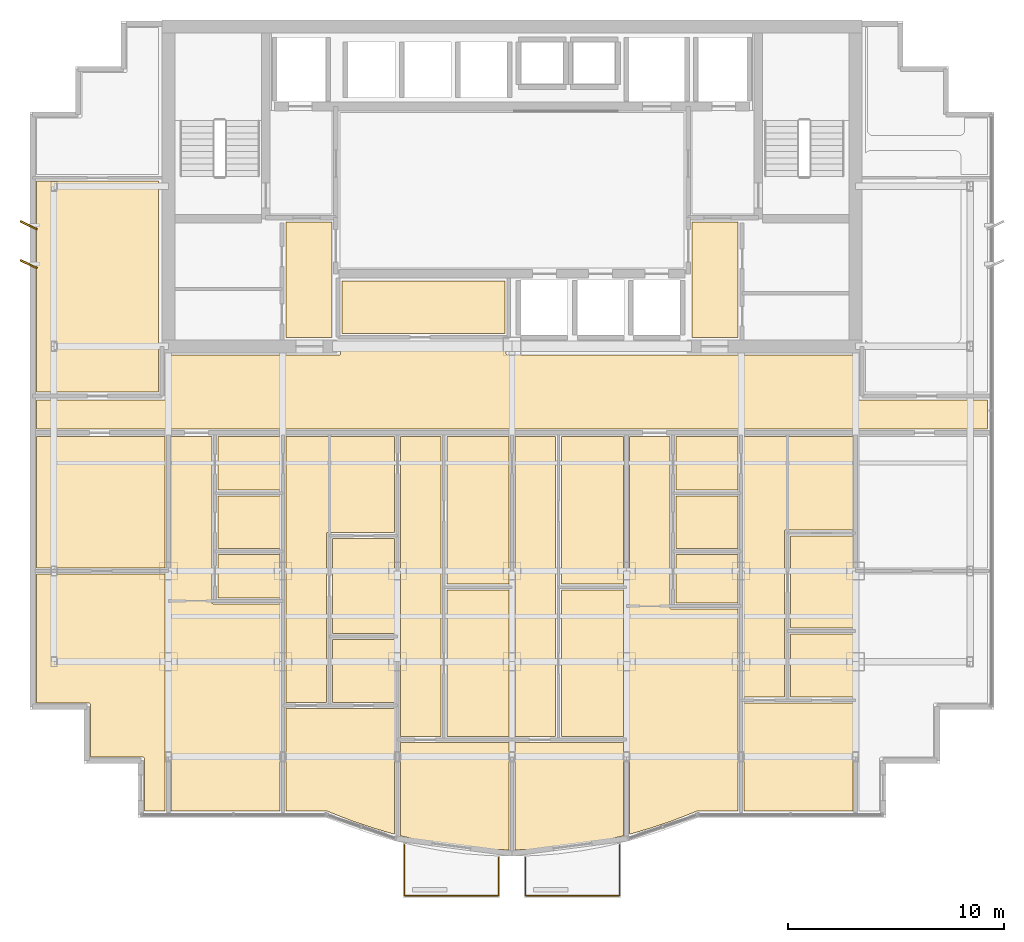
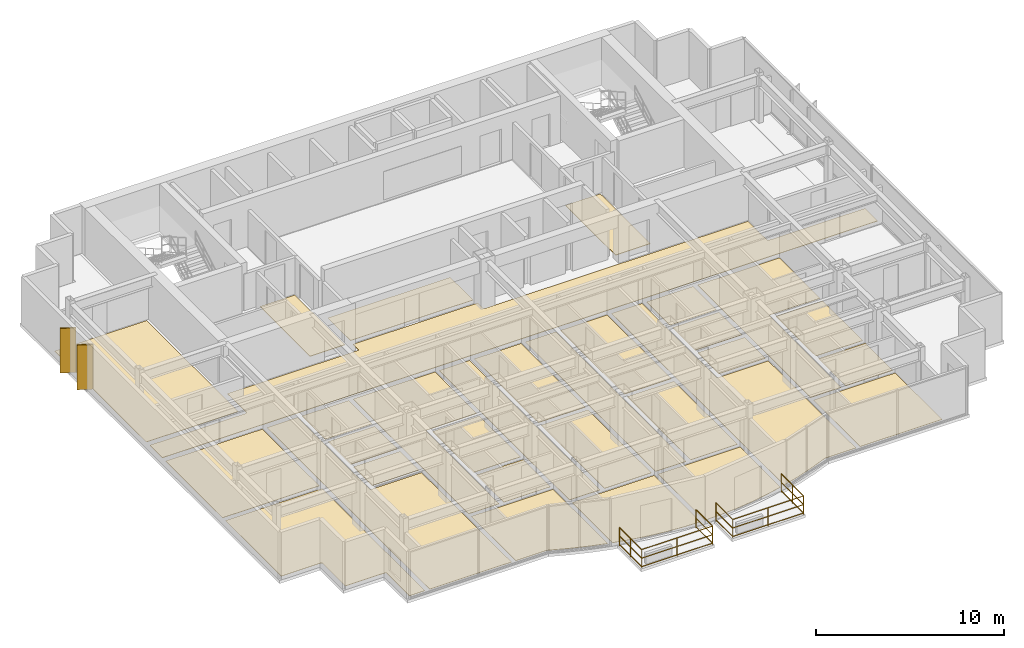
# One storey, part 12 of 13: 31 coverings, 2 railings, 2 shading devices.
"""IFC4 building model written with IfcOpenShell, lengths in metres."""

from ifc_helpers import new_model, si_unit, direction, frame, origin, origin_2d, place, context, subcontext, project, spatial, polyline, rectangle, circle, outline, extrude, source, transform, mapped, material, layer, layer_set, type_object, element, save


model = new_model("IFC4")

# Units and contexts
model_context = context("Model", 3, precision=1e-05, world=origin(), true_north=direction((0.0, 1.0)))
body_context = subcontext(model_context, "Body", "Model", "MODEL_VIEW")
ifc_project = project(units=[si_unit("LENGTHUNIT", "METRE"), si_unit("AREAUNIT", "SQUARE_METRE"), si_unit("VOLUMEUNIT", "CUBIC_METRE"), si_unit("PLANEANGLEUNIT", "RADIAN"), si_unit("MASSUNIT", "GRAM", prefix="KILO")], contexts=[model_context])

# Site, building, storey
site_placement = place(None, origin())
site = spatial("IfcSite", under=ifc_project, at=site_placement, CompositionType="ELEMENT")
building_placement = place(site_placement, origin())
building = spatial("IfcBuilding", under=site, at=building_placement, Name="Qianlan Lanfeng Residences", CompositionType="ELEMENT")
storey_placement = place(building_placement, frame((0.0, 0.0, 178.800048828125)))
storey = spatial("IfcBuildingStorey", under=building, at=storey_placement, Name="L49", CompositionType="ELEMENT", Elevation=178.800048828125)

# Coverings
ifc_material_1 = material(Name="Honed Taitung Granite Stone Flooring", Category="masonry")
ifc_layer_1 = layer(ifc_material_1, 0.030029296875)
ifc_layer_set_1 = layer_set([ifc_layer_1], Name="Honed Taitung Granite Stone Flooring")
covering_type_1 = type_object("IfcCoveringType", Name="FLR-STN-30", PredefinedType="FLOORING", material=ifc_layer_set_1)
covering_1_placement = place(storey_placement, origin())
element("IfcCovering", 1, at=covering_1_placement, inside=storey, type_object=covering_type_1, Name="L49 Residential Corridor Floor Finish", PredefinedType="FLOORING", context=body_context, shape_type="SweptSolid", body=[
    extrude(outline(polyline([(4.489990234375, 21.3798828125), (48.510009765625, 21.3798828125), (48.510009765625, 22.719970703125), (42.590087890625, 22.719970703125), (42.5830078125, 22.719970703125), (42.575927734375, 22.720947265625), (42.570068359375, 22.722900390625), (42.56298828125, 22.72509765625), (42.556884765625, 22.72802734375), (42.551025390625, 22.73193359375), (42.5458984375, 22.736083984375), (42.541015625, 22.740966796875), (42.535888671875, 22.74609375), (42.531982421875, 22.7509765625), (42.528076171875, 22.757080078125), (42.52490234375, 22.762939453125), (42.52294921875, 22.77001953125), (42.52099609375, 22.77587890625), (42.52001953125, 22.782958984375), (42.52001953125, 22.7900390625), (42.52001953125, 24.800048828125), (26.300048828125, 24.800048828125), (26.29296875, 24.800048828125), (26.285888671875, 24.801025390625), (26.280029296875, 24.802978515625), (26.27294921875, 24.804931640625), (26.26708984375, 24.80810546875), (26.260986328125, 24.81201171875), (26.256103515625, 24.81591796875), (26.2509765625, 24.821044921875), (26.24609375, 24.825927734375), (26.241943359375, 24.8310546875), (26.238037109375, 24.8369140625), (26.235107421875, 24.843017578125), (26.23291015625, 24.85009765625), (26.23095703125, 24.85595703125), (26.22998046875, 24.863037109375), (26.22998046875, 24.8701171875), (26.22998046875, 25.429931640625), (18.570068359375, 25.429931640625), (18.570068359375, 24.8701171875), (18.570068359375, 24.863037109375), (18.569091796875, 24.85595703125), (18.56689453125, 24.85009765625), (18.56494140625, 24.843017578125), (18.56201171875, 24.8369140625), (18.55810546875, 24.8310546875), (18.553955078125, 24.825927734375), (18.549072265625, 24.821044921875), (18.5439453125, 24.81591796875), (18.5390625, 24.81201171875), (18.532958984375, 24.80810546875), (18.527099609375, 24.804931640625), (18.52001953125, 24.802978515625), (18.513916015625, 24.801025390625), (18.507080078125, 24.800048828125), (18.5, 24.800048828125), (10.47998046875, 24.800048828125), (10.47998046875, 22.7900390625), (10.47998046875, 22.782958984375), (10.47900390625, 22.77587890625), (10.47705078125, 22.77001953125), (10.47509765625, 22.762939453125), (10.471923828125, 22.757080078125), (10.468017578125, 22.7509765625), (10.464111328125, 22.74609375), (10.458984375, 22.740966796875), (10.4541015625, 22.736083984375), (10.448974609375, 22.73193359375), (10.443115234375, 22.72802734375), (10.43701171875, 22.72509765625), (10.429931640625, 22.722900390625), (10.424072265625, 22.720947265625), (10.4169921875, 22.719970703125), (10.409912109375, 22.719970703125), (4.489990234375, 22.719970703125), (4.489990234375, 21.3798828125)])), origin(), (0.0, 0.0, 1.0), 0.030029296875),
])
covering_2_placement = place(storey_placement, origin())
element("IfcCovering", 2, at=covering_2_placement, inside=storey, type_object=covering_type_1, Name="L49 Lift Lobby Floor Finish", PredefinedType="FLOORING", context=body_context, shape_type="SweptSolid", body=[
    extrude(outline(polyline([(16.030029296875, 25.610107421875), (18.169921875, 25.610107421875), (18.169921875, 30.949951171875), (16.030029296875, 30.949951171875), (16.030029296875, 25.610107421875)])), origin(), (0.0, 0.0, 1.0), 0.030029296875),
])
covering_3_placement = place(storey_placement, origin())
element("IfcCovering", 3, at=covering_3_placement, inside=storey, type_object=covering_type_1, Name="L49 Lift Lobby Floor Finish", PredefinedType="FLOORING", context=body_context, shape_type="SweptSolid", body=[
    extrude(outline(polyline([(34.830078125, 25.610107421875), (36.969970703125, 25.610107421875), (36.969970703125, 30.949951171875), (34.830078125, 30.949951171875), (34.830078125, 25.610107421875)])), origin(), (0.0, 0.0, 1.0), 0.030029296875),
])
ifc_material_2 = material(Name="Slip-Resistant Porcelain Tile Flooring")
ifc_layer_2 = layer(ifc_material_2, 0.02001953125)
ifc_layer_set_2 = layer_set([ifc_layer_2], Name="Slip-Resistant Porcelain Tile Flooring")
covering_type_2 = type_object("IfcCoveringType", Name="FLR-TIL-20", PredefinedType="FLOORING", material=ifc_layer_set_2)
covering_4_placement = place(storey_placement, origin())
element("IfcCovering", 4, at=covering_4_placement, inside=storey, type_object=covering_type_2, Name="L49 Kitchen Floor Finish", PredefinedType="FLOORING", context=body_context, shape_type="SweptSolid", body=[
    extrude(outline(polyline([(12.889892578125, 15.840087890625), (15.760009765625, 15.840087890625), (15.760009765625, 18.260009765625), (12.889892578125, 18.260009765625), (12.889892578125, 15.840087890625)])), origin(), (0.0, 0.0, 1.0), 0.02001953125),
])
covering_5_placement = place(storey_placement, origin())
element("IfcCovering", 5, at=covering_5_placement, inside=storey, type_object=covering_type_2, Name="L49 Bathroom Floor Finish", PredefinedType="FLOORING", context=body_context, shape_type="SweptSolid", body=[
    extrude(outline(polyline([(12.889892578125, 18.5400390625), (15.760009765625, 18.5400390625), (15.760009765625, 21.030029296875), (12.889892578125, 21.030029296875), (12.889892578125, 18.5400390625)])), origin(), (0.0, 0.0, 1.0), 0.02001953125),
])
covering_6_placement = place(storey_placement, origin())
element("IfcCovering", 6, at=covering_6_placement, inside=storey, type_object=covering_type_2, Name="L49 En-Suite Bathroom Floor Finish", PredefinedType="FLOORING", context=body_context, shape_type="SweptSolid", body=[
    extrude(outline(polyline([(18.18994140625, 8.714111328125), (21.070068359375, 8.714111328125), (21.070068359375, 11.634033203125), (18.18994140625, 11.634033203125), (18.18994140625, 8.714111328125)])), origin(), (0.0, 0.0, 1.0), 0.02001953125),
])
covering_7_placement = place(storey_placement, origin())
element("IfcCovering", 7, at=covering_7_placement, inside=storey, type_object=covering_type_2, Name="L49 Kitchen Floor Finish", PredefinedType="FLOORING", context=body_context, shape_type="SweptSolid", body=[
    extrude(outline(polyline([(34.090087890625, 15.840087890625), (36.9599609375, 15.840087890625), (36.9599609375, 18.260009765625), (34.090087890625, 18.260009765625), (34.090087890625, 15.840087890625)])), origin(), (0.0, 0.0, 1.0), 0.02001953125),
])
covering_8_placement = place(storey_placement, origin())
element("IfcCovering", 8, at=covering_8_placement, inside=storey, type_object=covering_type_2, Name="L49 Bathroom Floor Finish", PredefinedType="FLOORING", context=body_context, shape_type="SweptSolid", body=[
    extrude(outline(polyline([(34.090087890625, 18.5400390625), (36.9599609375, 18.5400390625), (36.9599609375, 21.030029296875), (34.090087890625, 21.030029296875), (34.090087890625, 18.5400390625)])), origin(), (0.0, 0.0, 1.0), 0.02001953125),
])
covering_9_placement = place(storey_placement, origin())
element("IfcCovering", 9, at=covering_9_placement, inside=storey, type_object=covering_type_2, Name="L49 En-Suite Bathroom Floor Finish", PredefinedType="FLOORING", context=body_context, shape_type="SweptSolid", body=[
    extrude(outline(polyline([(39.389892578125, 8.9599609375), (42.27001953125, 8.9599609375), (42.27001953125, 11.8798828125), (39.389892578125, 11.8798828125), (39.389892578125, 8.9599609375)])), origin(), (0.0, 0.0, 1.0), 0.02001953125),
])
ifc_material_3 = material(Name="Engineered Smoked Oak Timber Flooring", Category="wood")
ifc_layer_3 = layer(ifc_material_3, 0.02197265625)
ifc_layer_set_3 = layer_set([ifc_layer_3], Name="Engineered Smoked Oak Timber Flooring")
covering_type_3 = type_object("IfcCoveringType", Name="FLR-TIM-22", PredefinedType="FLOORING", material=ifc_layer_set_3)
covering_10_placement = place(storey_placement, origin())
element("IfcCovering", 10, at=covering_10_placement, inside=storey, type_object=covering_type_3, Name="L49 Resident Study Salon Floor Finish", PredefinedType="FLOORING", context=body_context, shape_type="SweptSolid", body=[
    extrude(outline(polyline([(18.6298828125, 25.800048828125), (26.169921875, 25.800048828125), (26.169921875, 28.22998046875), (18.6298828125, 28.22998046875), (18.6298828125, 25.800048828125)])), origin(), (0.0, 0.0, 1.0), 0.02197265625),
])
covering_11_placement = place(storey_placement, origin())
element("IfcCovering", 11, at=covering_11_placement, inside=storey, type_object=covering_type_3, Name="L49 Living and Dining Room Floor Finish", PredefinedType="FLOORING", context=body_context, shape_type="SweptSolid", body=[
    extrude(outline(polyline([(15.77001953125, 3.68994140625), (15.77001953125, 13.280029296875), (12.679931640625, 13.280029296875), (12.673095703125, 13.280029296875), (12.666015625, 13.281005859375), (12.659912109375, 13.282958984375), (12.653076171875, 13.284912109375), (12.64697265625, 13.2880859375), (12.64111328125, 13.2919921875), (12.635986328125, 13.2958984375), (12.631103515625, 13.301025390625), (12.6259765625, 13.305908203125), (12.6220703125, 13.31103515625), (12.617919921875, 13.31689453125), (12.614990234375, 13.322998046875), (12.613037109375, 13.330078125), (12.611083984375, 13.3359375), (12.610107421875, 13.343017578125), (12.610107421875, 13.35009765625), (12.610107421875, 21.030029296875), (10.72998046875, 21.030029296875), (10.72998046875, 3.68994140625), (15.77001953125, 3.68994140625)])), origin(), (0.0, 0.0, 1.0), 0.02197265625),
])
covering_12_placement = place(storey_placement, origin())
element("IfcCovering", 12, at=covering_12_placement, inside=storey, type_object=covering_type_3, Name="L49 Private Study Floor Finish", PredefinedType="FLOORING", context=body_context, shape_type="SweptSolid", body=[
    extrude(outline(polyline([(12.889892578125, 15.56005859375), (12.889892578125, 13.56005859375), (15.77001953125, 13.56005859375), (15.77001953125, 15.56005859375), (12.889892578125, 15.56005859375)])), origin(), (0.0, 0.0, 1.0), 0.02197265625),
])
covering_13_placement = place(storey_placement, origin())
element("IfcCovering", 13, at=covering_13_placement, inside=storey, type_object=covering_type_3, Name="L49 Private Study Floor Finish", PredefinedType="FLOORING", context=body_context, shape_type="SweptSolid", body=[
    extrude(outline(polyline([(18.18994140625, 11.9140625), (21.070068359375, 11.9140625), (21.070068359375, 16.297119140625), (18.18994140625, 16.297119140625), (18.18994140625, 11.9140625)])), origin(), (0.0, 0.0, 1.0), 0.02197265625),
])
covering_14_placement = place(storey_placement, origin())
element("IfcCovering", 14, at=covering_14_placement, inside=storey, type_object=covering_type_3, Name="L49 Villa Family Sitting Room Floor Finish", PredefinedType="FLOORING", context=body_context, shape_type="SweptSolid", body=[
    extrude(outline(polyline([(16.030029296875, 8.714111328125), (17.909912109375, 8.714111328125), (17.909912109375, 16.507080078125), (17.909912109375, 16.513916015625), (17.910888671875, 16.52099609375), (17.9130859375, 16.527099609375), (17.9150390625, 16.533935546875), (17.91796875, 16.5400390625), (17.922119140625, 16.5458984375), (17.926025390625, 16.551025390625), (17.930908203125, 16.555908203125), (17.93603515625, 16.56103515625), (17.94091796875, 16.56494140625), (17.947021484375, 16.569091796875), (17.952880859375, 16.572021484375), (17.9599609375, 16.573974609375), (17.966064453125, 16.575927734375), (17.972900390625, 16.576904296875), (17.97998046875, 16.576904296875), (21.070068359375, 16.576904296875), (21.070068359375, 21.030029296875), (16.030029296875, 21.030029296875), (16.030029296875, 8.714111328125)])), origin(), (0.0, 0.0, 1.0), 0.02197265625),
])
covering_15_placement = place(storey_placement, origin())
element("IfcCovering", 15, at=covering_15_placement, inside=storey, type_object=covering_type_3, Name="L49 Master Bedroom Floor Finish", PredefinedType="FLOORING", context=body_context, shape_type="SweptSolid", body=[
    extrude(outline(polyline([(16.030029296875, 8.43408203125), (16.030029296875, 3.68994140625), (17.922119140625, 3.68994140625), (17.927978515625, 3.68994140625), (17.93505859375, 3.68896484375), (17.94091796875, 3.68701171875), (17.947021484375, 3.68505859375), (19.056884765625, 3.25), (20.1220703125, 2.888916015625), (21.070068359375, 2.616943359375), (21.070068359375, 8.43408203125), (16.030029296875, 8.43408203125)])), origin(), (0.0, 0.0, 1.0), 0.02197265625),
])
covering_16_placement = place(storey_placement, origin())
element("IfcCovering", 16, at=covering_16_placement, inside=storey, type_object=covering_type_3, Name="L49 Bedroom Floor Finish", PredefinedType="FLOORING", context=body_context, shape_type="SweptSolid", body=[
    extrude(outline(polyline([(21.330078125, 6.85888671875), (21.330078125, 2.550048828125), (22.2490234375, 2.333984375), (23.31201171875, 2.139892578125), (24.375, 2.001953125), (25.43701171875, 1.91796875), (26.3701171875, 1.89306640625), (26.3701171875, 6.85888671875), (21.330078125, 6.85888671875)])), origin(), (0.0, 0.0, 1.0), 0.02197265625),
])
covering_17_placement = place(storey_placement, origin())
element("IfcCovering", 17, at=covering_17_placement, inside=storey, type_object=covering_type_3, Name="L49 Private Study Floor Finish", PredefinedType="FLOORING", context=body_context, shape_type="SweptSolid", body=[
    extrude(outline(polyline([(23.489990234375, 7.138916015625), (26.3701171875, 7.138916015625), (26.3701171875, 13.909912109375), (23.489990234375, 13.909912109375), (23.489990234375, 7.138916015625)])), origin(), (0.0, 0.0, 1.0), 0.02197265625),
])
covering_18_placement = place(storey_placement, origin())
element("IfcCovering", 18, at=covering_18_placement, inside=storey, type_object=covering_type_3, Name="L49 Fitness Gymnasium Floor Finish", PredefinedType="FLOORING", context=body_context, shape_type="SweptSolid", body=[
    extrude(outline(polyline([(23.489990234375, 14.18994140625), (26.3701171875, 14.18994140625), (26.3701171875, 21.030029296875), (23.489990234375, 21.030029296875), (23.489990234375, 14.18994140625)])), origin(), (0.0, 0.0, 1.0), 0.02197265625),
])
covering_19_placement = place(storey_placement, origin())
element("IfcCovering", 19, at=covering_19_placement, inside=storey, type_object=covering_type_3, Name="L49 Home Office Floor Finish", PredefinedType="FLOORING", context=body_context, shape_type="SweptSolid", body=[
    extrude(outline(polyline([(21.330078125, 7.138916015625), (23.2099609375, 7.138916015625), (23.2099609375, 21.030029296875), (21.330078125, 21.030029296875), (21.330078125, 7.138916015625)])), origin(), (0.0, 0.0, 1.0), 0.02197265625),
])
covering_20_placement = place(storey_placement, origin())
element("IfcCovering", 20, at=covering_20_placement, inside=storey, type_object=covering_type_3, Name="L49 Guest Bedroom Floor Finish", PredefinedType="FLOORING", context=body_context, shape_type="SweptSolid", body=[
    extrude(outline(polyline([(26.6298828125, 6.85888671875), (26.6298828125, 1.89306640625), (27.56298828125, 1.91796875), (28.625, 2.0009765625), (29.68701171875, 2.139892578125), (30.7509765625, 2.333984375), (31.669921875, 2.550048828125), (31.669921875, 6.85888671875), (26.6298828125, 6.85888671875)])), origin(), (0.0, 0.0, 1.0), 0.02197265625),
])
covering_21_placement = place(storey_placement, origin())
element("IfcCovering", 21, at=covering_21_placement, inside=storey, type_object=covering_type_3, Name="L49 Private Study Floor Finish", PredefinedType="FLOORING", context=body_context, shape_type="SweptSolid", body=[
    extrude(outline(polyline([(28.7900390625, 7.138916015625), (31.669921875, 7.138916015625), (31.669921875, 13.909912109375), (28.7900390625, 13.909912109375), (28.7900390625, 7.138916015625)])), origin(), (0.0, 0.0, 1.0), 0.02197265625),
])
covering_22_placement = place(storey_placement, origin())
element("IfcCovering", 22, at=covering_22_placement, inside=storey, type_object=covering_type_3, Name="L49 Fitness Gymnasium Floor Finish", PredefinedType="FLOORING", context=body_context, shape_type="SweptSolid", body=[
    extrude(outline(polyline([(28.7900390625, 14.18994140625), (31.669921875, 14.18994140625), (31.669921875, 21.030029296875), (28.7900390625, 21.030029296875), (28.7900390625, 14.18994140625)])), origin(), (0.0, 0.0, 1.0), 0.02197265625),
])
covering_23_placement = place(storey_placement, origin())
element("IfcCovering", 23, at=covering_23_placement, inside=storey, type_object=covering_type_3, Name="L49 Home Office Floor Finish", PredefinedType="FLOORING", context=body_context, shape_type="SweptSolid", body=[
    extrude(outline(polyline([(26.6298828125, 7.138916015625), (28.510009765625, 7.138916015625), (28.510009765625, 21.030029296875), (26.6298828125, 21.030029296875), (26.6298828125, 7.138916015625)])), origin(), (0.0, 0.0, 1.0), 0.02197265625),
])
covering_24_placement = place(storey_placement, origin())
element("IfcCovering", 24, at=covering_24_placement, inside=storey, type_object=covering_type_3, Name="L49 Living and Dining Room Floor Finish", PredefinedType="FLOORING", context=body_context, shape_type="SweptSolid", body=[
    extrude(outline(polyline([(36.969970703125, 3.68994140625), (36.969970703125, 13.033935546875), (33.8798828125, 13.033935546875), (33.873046875, 13.033935546875), (33.865966796875, 13.034912109375), (33.860107421875, 13.037109375), (33.85302734375, 13.0390625), (33.846923828125, 13.0419921875), (33.841064453125, 13.0458984375), (33.8359375, 13.050048828125), (33.8310546875, 13.054931640625), (33.825927734375, 13.06005859375), (33.822021484375, 13.06494140625), (33.818115234375, 13.071044921875), (33.81494140625, 13.076904296875), (33.81298828125, 13.083984375), (33.81103515625, 13.090087890625), (33.81005859375, 13.096923828125), (33.81005859375, 13.10400390625), (33.81005859375, 21.030029296875), (31.929931640625, 21.030029296875), (31.929931640625, 2.616943359375), (32.8779296875, 2.888916015625), (33.94189453125, 3.25), (35.052978515625, 3.68505859375), (35.05908203125, 3.68701171875), (35.06494140625, 3.68896484375), (35.072021484375, 3.68994140625), (35.077880859375, 3.68994140625), (36.969970703125, 3.68994140625)])), origin(), (0.0, 0.0, 1.0), 0.02197265625),
])
covering_25_placement = place(storey_placement, origin())
element("IfcCovering", 25, at=covering_25_placement, inside=storey, type_object=covering_type_3, Name="L49 Private Study Floor Finish", PredefinedType="FLOORING", context=body_context, shape_type="SweptSolid", body=[
    extrude(outline(polyline([(34.090087890625, 15.56005859375), (34.090087890625, 13.31396484375), (36.969970703125, 13.31396484375), (36.969970703125, 15.56005859375), (34.090087890625, 15.56005859375)])), origin(), (0.0, 0.0, 1.0), 0.02197265625),
])
covering_26_placement = place(storey_placement, origin())
element("IfcCovering", 26, at=covering_26_placement, inside=storey, type_object=covering_type_3, Name="L49 Private Study Floor Finish", PredefinedType="FLOORING", context=body_context, shape_type="SweptSolid", body=[
    extrude(outline(polyline([(39.389892578125, 12.159912109375), (42.27001953125, 12.159912109375), (42.27001953125, 16.419921875), (39.389892578125, 16.419921875), (39.389892578125, 12.159912109375)])), origin(), (0.0, 0.0, 1.0), 0.02197265625),
])
covering_27_placement = place(storey_placement, origin())
element("IfcCovering", 27, at=covering_27_placement, inside=storey, type_object=covering_type_3, Name="L49 Villa Family Sitting Room Floor Finish", PredefinedType="FLOORING", context=body_context, shape_type="SweptSolid", body=[
    extrude(outline(polyline([(37.22998046875, 8.9599609375), (39.110107421875, 8.9599609375), (39.110107421875, 16.6298828125), (39.110107421875, 16.636962890625), (39.111083984375, 16.64404296875), (39.113037109375, 16.64990234375), (39.114990234375, 16.656982421875), (39.117919921875, 16.6630859375), (39.1220703125, 16.6689453125), (39.1259765625, 16.674072265625), (39.131103515625, 16.678955078125), (39.135986328125, 16.68408203125), (39.14111328125, 16.68798828125), (39.14697265625, 16.69189453125), (39.153076171875, 16.695068359375), (39.159912109375, 16.697021484375), (39.166015625, 16.698974609375), (39.173095703125, 16.699951171875), (39.179931640625, 16.699951171875), (42.27001953125, 16.699951171875), (42.27001953125, 21.030029296875), (37.22998046875, 21.030029296875), (37.22998046875, 8.9599609375)])), origin(), (0.0, 0.0, 1.0), 0.02197265625),
])
covering_28_placement = place(storey_placement, origin())
element("IfcCovering", 28, at=covering_28_placement, inside=storey, type_object=covering_type_3, Name="L49 Master Bedroom Floor Finish", PredefinedType="FLOORING", context=body_context, shape_type="SweptSolid", body=[
    extrude(outline(polyline([(37.22998046875, 8.679931640625), (37.22998046875, 3.68994140625), (42.27001953125, 3.68994140625), (42.27001953125, 8.679931640625), (37.22998046875, 8.679931640625)])), origin(), (0.0, 0.0, 1.0), 0.02197265625),
])
covering_29_placement = place(storey_placement, origin())
element("IfcCovering", 29, at=covering_29_placement, inside=storey, type_object=covering_type_3, Name="L49 Sunroom Floor Finish", PredefinedType="FLOORING", context=body_context, shape_type="SweptSolid", body=[
    extrude(outline(polyline([(10.43994140625, 14.64990234375), (4.489990234375, 14.64990234375), (4.489990234375, 8.68994140625), (6.919921875, 8.68994140625), (6.927001953125, 8.68994140625), (6.93408203125, 8.68896484375), (6.93994140625, 8.68701171875), (6.947021484375, 8.68505859375), (6.952880859375, 8.681884765625), (6.958984375, 8.677978515625), (6.964111328125, 8.674072265625), (6.968994140625, 8.6689453125), (6.97412109375, 8.6640625), (6.97802734375, 8.658935546875), (6.98193359375, 8.653076171875), (6.985107421875, 8.64697265625), (6.987060546875, 8.639892578125), (6.989013671875, 8.634033203125), (6.989990234375, 8.626953125), (6.989990234375, 8.6201171875), (6.989990234375, 6.18994140625), (9.419921875, 6.18994140625), (9.427001953125, 6.18994140625), (9.43408203125, 6.18896484375), (9.43994140625, 6.18701171875), (9.447021484375, 6.18505859375), (9.452880859375, 6.181884765625), (9.458984375, 6.177978515625), (9.464111328125, 6.174072265625), (9.468994140625, 6.1689453125), (9.47412109375, 6.1640625), (9.47802734375, 6.158935546875), (9.48193359375, 6.153076171875), (9.485107421875, 6.14697265625), (9.487060546875, 6.139892578125), (9.489013671875, 6.134033203125), (9.489990234375, 6.126953125), (9.489990234375, 6.1201171875), (9.489990234375, 3.68994140625), (10.43994140625, 3.68994140625), (10.43994140625, 14.64990234375)])), origin(), (0.0, 0.0, 1.0), 0.02197265625),
])
covering_30_placement = place(storey_placement, origin())
element("IfcCovering", 30, at=covering_30_placement, inside=storey, type_object=covering_type_3, Name="L49 Family Sitting Room Floor Finish", PredefinedType="FLOORING", context=body_context, shape_type="SweptSolid", body=[
    extrude(outline(polyline([(10.43994140625, 21.030029296875), (4.489990234375, 21.030029296875), (4.489990234375, 14.949951171875), (10.43994140625, 14.949951171875), (10.43994140625, 21.030029296875)])), origin(), (0.0, 0.0, 1.0), 0.02197265625),
])
covering_31_placement = place(storey_placement, origin())
element("IfcCovering", 31, at=covering_31_placement, inside=storey, type_object=covering_type_3, Name="L49 Conservatory Salon Floor Finish", PredefinedType="FLOORING", context=body_context, shape_type="SweptSolid", body=[
    extrude(outline(polyline([(10.14990234375, 32.85009765625), (4.489990234375, 32.85009765625), (4.489990234375, 23.080078125), (10.14990234375, 23.080078125), (10.14990234375, 32.85009765625)])), origin(), (0.0, 0.0, 1.0), 0.02197265625),
])

# Railings
ifc_material_4 = material(Name="Anodised Bronze Aluminium and Laminated Glass Guard Balustrade", Category="aluminium")
railing_type = type_object("IfcRailingType", Name="GR-EXT-1220", PredefinedType="BALUSTRADE", material=ifc_material_4)
railing_1_placement = place(storey_placement, frame((25.8798828125, 1.5458984375, 0.0)))
element("IfcRailing", 32, at=railing_1_placement, inside=storey, type_object=railing_type, Name="L49 Terrace Safety Guard GR-L49-SB-W", PredefinedType="BALUSTRADE", context=body_context, shape_type="SweptSolid", body=[
    extrude(circle(Radius=0.02490234375, at=origin_2d()), frame((0.0, 0.0, 0.0849609375), z_axis=(0.0, -1.0, 0.0), x_axis=(1.0, 0.0, 0.0)), (0.0, 0.0, 1.0), 1.77587890625),
    extrude(circle(Radius=0.02490234375, at=origin_2d()), frame((0.0, 0.0, 0.63427734375), z_axis=(0.0, -1.0, 0.0), x_axis=(1.0, 0.0, 0.0)), (0.0, 0.0, 1.0), 1.77587890625),
    extrude(circle(Radius=0.02490234375, at=origin_2d()), frame((0.0, 0.0, 1.19482421875), z_axis=(0.0, -1.0, 0.0), x_axis=(1.0, 0.0, 0.0)), (0.0, 0.0, 1.0), 1.77587890625),
    extrude(circle(Radius=0.02490234375, at=origin_2d()), frame((0.0, -1.77587890625, 0.0849609375), z_axis=(-1.0, 0.0, 0.0), x_axis=(0.0, -1.0, 0.0)), (0.0, 0.0, 1.0), 4.35986328125),
    extrude(circle(Radius=0.02490234375, at=origin_2d()), frame((0.0, -1.77587890625, 0.63427734375), z_axis=(-1.0, 0.0, 0.0), x_axis=(0.0, -1.0, 0.0)), (0.0, 0.0, 1.0), 4.35986328125),
    extrude(circle(Radius=0.02490234375, at=origin_2d()), frame((0.0, -1.77587890625, 1.19482421875), z_axis=(-1.0, 0.0, 0.0), x_axis=(0.0, -1.0, 0.0)), (0.0, 0.0, 1.0), 4.35986328125),
    extrude(circle(Radius=0.02490234375, at=origin_2d()), frame((-4.35986328125, -1.77587890625, 0.0849609375), z_axis=(0.0, 1.0, 0.0), x_axis=(-1.0, 0.0, 0.0)), (0.0, 0.0, 1.0), 2.365966796875),
    extrude(circle(Radius=0.02490234375, at=origin_2d()), frame((-4.35986328125, -1.77587890625, 0.63427734375), z_axis=(0.0, 1.0, 0.0), x_axis=(-1.0, 0.0, 0.0)), (0.0, 0.0, 1.0), 2.365966796875),
    extrude(circle(Radius=0.02490234375, at=origin_2d()), frame((-4.35986328125, -1.77587890625, 1.19482421875), z_axis=(0.0, 1.0, 0.0), x_axis=(-1.0, 0.0, 0.0)), (0.0, 0.0, 1.0), 2.365966796875),
    extrude(circle(Radius=0.02099609375, at=origin_2d()), origin(), (0.0, 0.0, 1.0), 1.169921875),
    extrude(circle(Radius=0.02099609375, at=origin_2d()), frame((0.0, -1.77587890625, 0.0)), (0.0, 0.0, 1.0), 1.169921875),
    extrude(circle(Radius=0.02099609375, at=origin_2d()), frame((-2.179931640625, -1.77587890625, 0.0)), (0.0, 0.0, 1.0), 1.169921875),
    extrude(circle(Radius=0.02099609375, at=origin_2d()), frame((-4.35986328125, -1.77587890625, 0.0)), (0.0, 0.0, 1.0), 1.169921875),
    extrude(circle(Radius=0.02099609375, at=origin_2d()), frame((-4.35986328125, -0.5927734375, 0.0)), (0.0, 0.0, 1.0), 1.169921875),
    extrude(circle(Radius=0.02099609375, at=origin_2d()), frame((-4.35986328125, 0.590087890625, 0.0)), (0.0, 0.0, 1.0), 1.169921875),
])
railing_2_placement = place(storey_placement, frame((31.47998046875, 2.135986328125, 0.0)))
element("IfcRailing", 33, at=railing_2_placement, inside=storey, type_object=railing_type, Name="L49 Terrace Safety Guard GR-L49-SB-E", PredefinedType="BALUSTRADE", context=body_context, shape_type="SweptSolid", body=[
    extrude(circle(Radius=0.02490234375, at=origin_2d()), frame((0.0, 0.0, 0.0849609375), z_axis=(0.0, -1.0, 0.0), x_axis=(1.0, 0.0, 0.0)), (0.0, 0.0, 1.0), 2.365966796875),
    extrude(circle(Radius=0.02490234375, at=origin_2d()), frame((0.0, 0.0, 0.63427734375), z_axis=(0.0, -1.0, 0.0), x_axis=(1.0, 0.0, 0.0)), (0.0, 0.0, 1.0), 2.365966796875),
    extrude(circle(Radius=0.02490234375, at=origin_2d()), frame((0.0, 0.0, 1.19482421875), z_axis=(0.0, -1.0, 0.0), x_axis=(1.0, 0.0, 0.0)), (0.0, 0.0, 1.0), 2.365966796875),
    extrude(circle(Radius=0.02490234375, at=origin_2d()), frame((0.0, -2.365966796875, 0.0849609375), z_axis=(-1.0, 0.0, 0.0), x_axis=(0.0, -1.0, 0.0)), (0.0, 0.0, 1.0), 4.35986328125),
    extrude(circle(Radius=0.02490234375, at=origin_2d()), frame((0.0, -2.365966796875, 0.63427734375), z_axis=(-1.0, 0.0, 0.0), x_axis=(0.0, -1.0, 0.0)), (0.0, 0.0, 1.0), 4.35986328125),
    extrude(circle(Radius=0.02490234375, at=origin_2d()), frame((0.0, -2.365966796875, 1.19482421875), z_axis=(-1.0, 0.0, 0.0), x_axis=(0.0, -1.0, 0.0)), (0.0, 0.0, 1.0), 4.35986328125),
    extrude(circle(Radius=0.02490234375, at=origin_2d()), frame((-4.35986328125, -2.365966796875, 0.0849609375), z_axis=(0.0, 1.0, 0.0), x_axis=(-1.0, 0.0, 0.0)), (0.0, 0.0, 1.0), 1.77587890625),
    extrude(circle(Radius=0.02490234375, at=origin_2d()), frame((-4.35986328125, -2.365966796875, 0.63427734375), z_axis=(0.0, 1.0, 0.0), x_axis=(-1.0, 0.0, 0.0)), (0.0, 0.0, 1.0), 1.77587890625),
    extrude(circle(Radius=0.02490234375, at=origin_2d()), frame((-4.35986328125, -2.365966796875, 1.19482421875), z_axis=(0.0, 1.0, 0.0), x_axis=(-1.0, 0.0, 0.0)), (0.0, 0.0, 1.0), 1.77587890625),
    extrude(circle(Radius=0.02099609375, at=origin_2d()), origin(), (0.0, 0.0, 1.0), 1.169921875),
    extrude(circle(Radius=0.02099609375, at=origin_2d()), frame((0.0, -1.18310546875, 0.0)), (0.0, 0.0, 1.0), 1.169921875),
    extrude(circle(Radius=0.02099609375, at=origin_2d()), frame((0.0, -2.365966796875, 0.0)), (0.0, 0.0, 1.0), 1.169921875),
    extrude(circle(Radius=0.02099609375, at=origin_2d()), frame((-2.179931640625, -2.365966796875, 0.0)), (0.0, 0.0, 1.0), 1.169921875),
    extrude(circle(Radius=0.02099609375, at=origin_2d()), frame((-4.35986328125, -2.365966796875, 0.0)), (0.0, 0.0, 1.0), 1.169921875),
    extrude(circle(Radius=0.02099609375, at=origin_2d()), frame((-4.35986328125, -0.590087890625, 0.0)), (0.0, 0.0, 1.0), 1.169921875),
])

# Shading devices
ifc_material_5 = material(Name="Anodised Bronze Aluminium Solar Fin", Category="aluminium")
shading_device_type = type_object("IfcShadingDeviceType", Name="FIN-BRZ-850", PredefinedType="SHUTTER", material=ifc_material_5)
shared_shape = source(origin(), body_context, "Body", "SweptSolid", [
    extrude(rectangle(XDim=0.85009765625, YDim=0.080078125, at=origin_2d()), origin(), (0.0, 0.0, 1.0), 2.89990234375),
])
for number, where, z_axis, x_axis, name in (
    (34, (4.1298828125, 29.0, 0.0), (0.0, 0.0, 1.0), (0.898794046299, -0.438371146789, 0.0), "L49 Raked Bronze Solar Fin W1"),
    (35, (4.1298828125, 30.800048828125, 0.0), (0.0, 0.0, 1.0), (0.898794046299, -0.438371146789, 0.0), "L49 Raked Bronze Solar Fin W2"),
):
    element("IfcShadingDevice", number, at=place(storey_placement, frame(where, z_axis=z_axis, x_axis=x_axis)), inside=storey, type_object=shading_device_type, Name=name, PredefinedType="SHUTTER", context=body_context, shape_type="MappedRepresentation", body=[
        mapped(shared_shape, transform((0.0, 0.0, 0.0), scale=1.0)),
    ])

save(model, "model.ifc")
